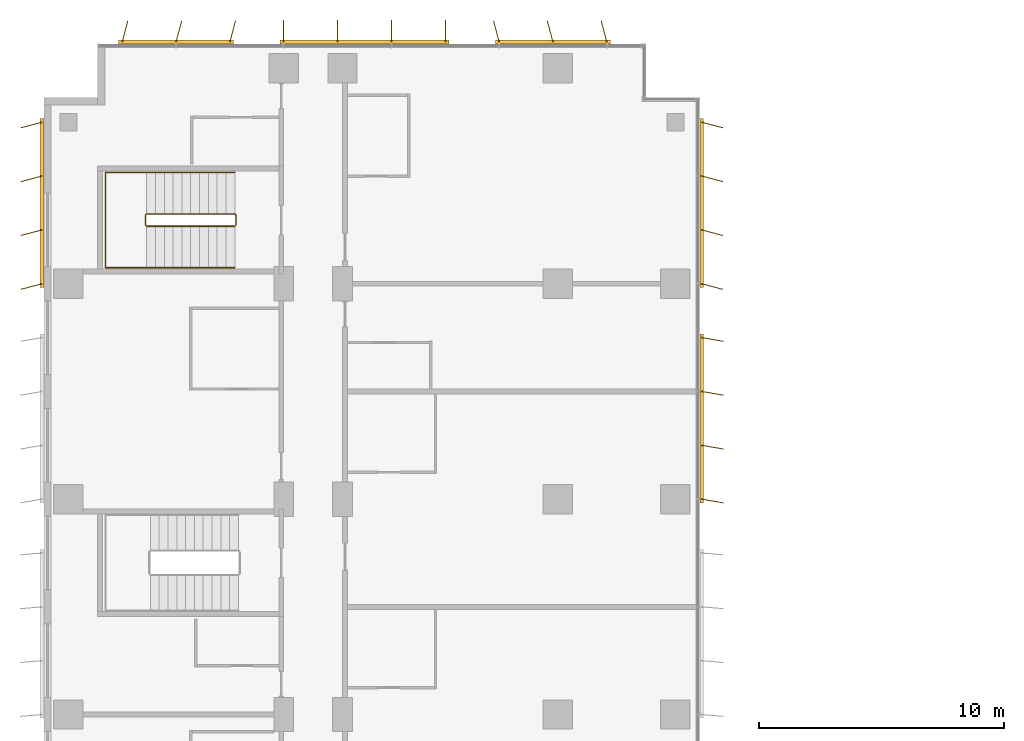
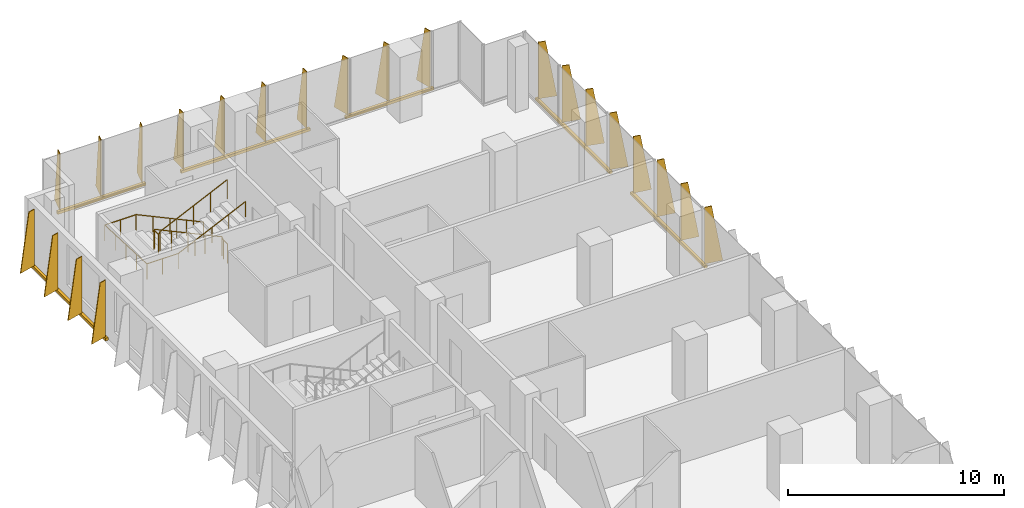
# One storey, part 27 of 27: 6 shading devices, 2 railings.
"""IFC4 building model written with IfcOpenShell, lengths in metres."""

from ifc_helpers import new_model, si_unit, direction, frame, origin, origin_2d, place, context, subcontext, project, spatial, polyline, rectangle, circle, outline, extrude, source, transform, mapped, material, layer, layer_set, type_object, element, save


model = new_model("IFC4")

# Units and contexts
model_context = context("Model", 3, precision=1e-05, world=origin(), true_north=direction((0.0, 1.0)))
body_context = subcontext(model_context, "Body", "Model", "MODEL_VIEW")
ifc_project = project(units=[si_unit("LENGTHUNIT", "METRE"), si_unit("AREAUNIT", "SQUARE_METRE"), si_unit("VOLUMEUNIT", "CUBIC_METRE"), si_unit("PLANEANGLEUNIT", "RADIAN"), si_unit("MASSUNIT", "GRAM", prefix="KILO")], contexts=[model_context])

# Site, building, storey
site_placement = place(None, origin())
site = spatial("IfcSite", under=ifc_project, at=site_placement, CompositionType="ELEMENT")
building_placement = place(site_placement, origin())
building = spatial("IfcBuilding", under=site, at=building_placement, Name="Kemantara Hotel Tower", CompositionType="ELEMENT")
storey_placement = place(building_placement, frame((0.0, 0.0, 83.39990234375)))
storey = spatial("IfcBuildingStorey", under=building, at=storey_placement, Name="L19", CompositionType="ELEMENT", Elevation=83.39990234375)

# Railings
ifc_material_1 = material(Name="Stainless steel balustrade", Category="steel")
railing_type_1 = type_object("IfcRailingType", Name="Stair guard 1100 mm", PredefinedType="GUARDRAIL", material=ifc_material_1)
railing_1_placement = place(storey_placement, frame((7.800048828125, 73.75, 3.7001953125)))
element("IfcRailing", 1, at=railing_1_placement, inside=storey, type_object=railing_type_1, Name="L19 ST6 stair guard 1", PredefinedType="GUARDRAIL", context=body_context, shape_type="SweptSolid", body=[
    extrude(circle(Radius=0.02392578125, at=origin_2d()), frame((0.0, 0.0, 1.076171875), z_axis=(-0.906005689286, 0.0, -0.423265508849), x_axis=(0.0, -1.0, 0.0)), (0.0, 0.0, 1.0), 3.9736328125),
    extrude(circle(Radius=0.02392578125, at=origin_2d()), frame((-3.60009765625, 0.0, -0.60595703125), z_axis=(-0.274243871929, 0.274243871929, -0.92172696468), x_axis=(-0.707106781187, -0.707106781187, 0.0)), (0.0, 0.0, 1.0), 0.1826171875),
    extrude(circle(Radius=0.02392578125, at=origin_2d()), frame((-3.650146484375, 0.050048828125, -0.77392578125), z_axis=(0.0, 1.0, 0.0), x_axis=(-1.0, 0.0, 0.0)), (0.0, 0.0, 1.0), 0.39990234375),
    extrude(circle(Radius=0.02392578125, at=origin_2d()), frame((-3.650146484375, 0.449951171875, -0.77392578125), z_axis=(0.707106781187, 0.707106781187, 0.0), x_axis=(-0.707106781187, 0.707106781187, 0.0)), (0.0, 0.0, 1.0), 0.07080078125),
    extrude(circle(Radius=0.02392578125, at=origin_2d()), frame((-3.60009765625, 0.5, -0.77392578125), z_axis=(0.906005689286, 0.0, -0.423265508849), x_axis=(0.0, 1.0, 0.0)), (0.0, 0.0, 1.0), 3.9736328125),
    extrude(circle(Radius=0.02392578125, at=origin_2d()), frame((0.0, 0.5, -2.4560546875), z_axis=(0.274243871929, -0.274243871929, -0.92172696468), x_axis=(0.707106781187, 0.707106781187, 0.0)), (0.0, 0.0, 1.0), 0.1826171875),
    extrude(circle(Radius=0.02392578125, at=origin_2d()), frame((0.050048828125, 0.449951171875, -2.6240234375), z_axis=(0.0, -1.0, 0.0), x_axis=(1.0, 0.0, 0.0)), (0.0, 0.0, 1.0), 0.39990234375),
    extrude(circle(Radius=0.02099609375, at=origin_2d()), origin(), (0.0, 0.0, 1.0), 1.052001953125),
    extrude(circle(Radius=0.02099609375, at=origin_2d()), frame((-0.89990234375, 0.0, -0.42041015625)), (0.0, 0.0, 1.0), 1.052001953125),
    extrude(circle(Radius=0.02099609375, at=origin_2d()), frame((-1.800048828125, 0.0, -0.8408203125)), (0.0, 0.0, 1.0), 1.052001953125),
    extrude(circle(Radius=0.02099609375, at=origin_2d()), frame((-2.7001953125, 0.0, -1.261474609375)), (0.0, 0.0, 1.0), 1.052001953125),
    extrude(circle(Radius=0.02099609375, at=origin_2d()), frame((-3.60009765625, 0.0, -1.681884765625)), (0.0, 0.0, 1.0), 1.052001953125),
    extrude(circle(Radius=0.02099609375, at=origin_2d()), frame((-3.650146484375, 0.050048828125, -1.85009765625)), (0.0, 0.0, 1.0), 1.052001953125),
    extrude(circle(Radius=0.02099609375, at=origin_2d()), frame((-3.650146484375, 0.449951171875, -1.85009765625)), (0.0, 0.0, 1.0), 1.052001953125),
    extrude(circle(Radius=0.02099609375, at=origin_2d()), frame((-3.60009765625, 0.5, -1.85009765625)), (0.0, 0.0, 1.0), 1.052001953125),
    extrude(circle(Radius=0.02099609375, at=origin_2d()), frame((-2.7001953125, 0.5, -2.2705078125)), (0.0, 0.0, 1.0), 1.052001953125),
    extrude(circle(Radius=0.02099609375, at=origin_2d()), frame((-1.800048828125, 0.5, -2.69091796875)), (0.0, 0.0, 1.0), 1.052001953125),
    extrude(circle(Radius=0.02099609375, at=origin_2d()), frame((-0.89990234375, 0.5, -3.111572265625)), (0.0, 0.0, 1.0), 1.052001953125),
    extrude(circle(Radius=0.02099609375, at=origin_2d()), frame((0.0, 0.5, -3.531982421875)), (0.0, 0.0, 1.0), 1.052001953125),
    extrude(circle(Radius=0.02099609375, at=origin_2d()), frame((0.050048828125, 0.449951171875, -3.7001953125)), (0.0, 0.0, 1.0), 1.052001953125),
    extrude(circle(Radius=0.02099609375, at=origin_2d()), frame((0.050048828125, 0.050048828125, -3.7001953125)), (0.0, 0.0, 1.0), 1.052001953125),
])
railing_type_2 = type_object("IfcRailingType", Name="Stair handrail 900 mm", PredefinedType="HANDRAIL", material=ifc_material_1)
railing_2_placement = place(storey_placement, frame((7.800048828125, 75.949951171875, 0.168212890625)))
element("IfcRailing", 2, at=railing_2_placement, inside=storey, type_object=railing_type_2, Name="L19 ST6 stair handrail 1", PredefinedType="HANDRAIL", context=body_context, shape_type="SweptSolid", body=[
    extrude(circle(Radius=0.02392578125, at=origin_2d()), frame((0.0, 0.0, 0.8759765625), z_axis=(-0.906005689286, 0.0, 0.423265508849), x_axis=(0.0, -1.0, 0.0)), (0.0, 0.0, 1.0), 3.9736328125),
    extrude(circle(Radius=0.02392578125, at=origin_2d()), frame((-3.60009765625, 0.0, 2.5576171875), z_axis=(-1.0, 0.0, 0.0), x_axis=(0.0, -1.0, 0.0)), (0.0, 0.0, 1.0), 1.679931640625),
    extrude(circle(Radius=0.02392578125, at=origin_2d()), frame((-5.280029296875, 0.0, 2.5576171875), z_axis=(0.0, -0.999071085748, 0.043092523981), x_axis=(1.0, 0.0, 0.0)), (0.0, 0.0, 1.0), 3.903564453125),
    extrude(circle(Radius=0.02392578125, at=origin_2d()), frame((-5.280029296875, -3.89990234375, 2.72607421875), z_axis=(1.0, 0.0, 0.0), x_axis=(0.0, 1.0, 0.0)), (0.0, 0.0, 1.0), 1.679931640625),
    extrude(circle(Radius=0.02392578125, at=origin_2d()), frame((-3.60009765625, -3.89990234375, 2.72607421875), z_axis=(0.906005689286, 0.0, 0.423265508849), x_axis=(0.0, 1.0, 0.0)), (0.0, 0.0, 1.0), 3.9736328125),
    extrude(circle(Radius=0.02099609375, at=origin_2d()), origin(), (0.0, 0.0, 1.0), 0.851806640625),
    extrude(circle(Radius=0.02099609375, at=origin_2d()), frame((-0.89990234375, 0.0, 0.42041015625)), (0.0, 0.0, 1.0), 0.851806640625),
    extrude(circle(Radius=0.02099609375, at=origin_2d()), frame((-1.800048828125, 0.0, 0.8408203125)), (0.0, 0.0, 1.0), 0.851806640625),
    extrude(circle(Radius=0.02099609375, at=origin_2d()), frame((-2.7001953125, 0.0, 1.261474609375)), (0.0, 0.0, 1.0), 0.851806640625),
    extrude(circle(Radius=0.02099609375, at=origin_2d()), frame((-3.60009765625, 0.0, 1.681884765625)), (0.0, 0.0, 1.0), 0.851806640625),
    extrude(circle(Radius=0.02099609375, at=origin_2d()), frame((-4.43994140625, 0.0, 1.681884765625)), (0.0, 0.0, 1.0), 0.851806640625),
    extrude(circle(Radius=0.02099609375, at=origin_2d()), frame((-5.280029296875, 0.0, 1.681884765625)), (0.0, 0.0, 1.0), 0.851806640625),
    extrude(circle(Radius=0.02099609375, at=origin_2d()), frame((-5.280029296875, -0.97509765625, 1.723876953125)), (0.0, 0.0, 1.0), 0.851806640625),
    extrude(circle(Radius=0.02099609375, at=origin_2d()), frame((-5.280029296875, -1.949951171875, 1.76611328125)), (0.0, 0.0, 1.0), 0.851806640625),
    extrude(circle(Radius=0.02099609375, at=origin_2d()), frame((-5.280029296875, -2.9248046875, 1.80810546875)), (0.0, 0.0, 1.0), 0.851806640625),
    extrude(circle(Radius=0.02099609375, at=origin_2d()), frame((-5.280029296875, -3.89990234375, 1.85009765625)), (0.0, 0.0, 1.0), 0.851806640625),
    extrude(circle(Radius=0.02099609375, at=origin_2d()), frame((-4.43994140625, -3.89990234375, 1.85009765625)), (0.0, 0.0, 1.0), 0.851806640625),
    extrude(circle(Radius=0.02099609375, at=origin_2d()), frame((-3.60009765625, -3.89990234375, 1.85009765625)), (0.0, 0.0, 1.0), 0.851806640625),
    extrude(circle(Radius=0.02099609375, at=origin_2d()), frame((-2.7001953125, -3.89990234375, 2.2705078125)), (0.0, 0.0, 1.0), 0.851806640625),
    extrude(circle(Radius=0.02099609375, at=origin_2d()), frame((-1.800048828125, -3.89990234375, 2.69091796875)), (0.0, 0.0, 1.0), 0.851806640625),
    extrude(circle(Radius=0.02099609375, at=origin_2d()), frame((-0.89990234375, -3.89990234375, 3.111572265625)), (0.0, 0.0, 1.0), 0.851806640625),
    extrude(circle(Radius=0.02099609375, at=origin_2d()), frame((0.0, -3.89990234375, 3.531982421875)), (0.0, 0.0, 1.0), 0.851806640625),
])

# Shading devices
ifc_material_2 = material(Name="Perforated aluminium plate 4 mm bronze anodised", Category="aluminium")
ifc_layer_1 = layer(ifc_material_2, 0.0400390625)
ifc_layer_set_1 = layer_set([ifc_layer_1], Name="Perforated aluminium plate 4 mm bronze anodised")
shading_device_type_1 = type_object("IfcShadingDeviceType", Name="SCREEN FIN CASSETTE, 3 BLADES AT -15.0 DEG, 3200 HIGH", PredefinedType="USERDEFINED", material=ifc_layer_set_1)
shared_shape_1 = source(origin(), body_context, "Body", "SweptSolid", [
    extrude(rectangle(XDim=4.699951171875, YDim=0.14990234375, at=origin_2d()), frame((2.199951171875, -0.074951171875, -0.14990234375), z_axis=(0.0, 0.0, 1.0), x_axis=(1.0, 0.0, 0.0)), (0.0, 0.0, 1.0), 0.14990234375),
    extrude(outline(polyline([(0.0, 0.0), (0.89990234375, 0.0), (0.35009765625, 3.199951171875), (0.0, 3.199951171875), (0.0, 0.0)])), frame((0.019287109375, -0.080078125, 0.0), z_axis=(-0.966437683387, 0.256901156343, 0.0), x_axis=(-0.256901156343, -0.966437683387, 0.0)), (0.0, 0.0, 1.0), 0.039794921875),
    extrude(outline(polyline([(0.0, 0.0), (0.89990234375, 0.0), (0.35009765625, 3.199951171875), (0.0, 3.199951171875), (0.0, 0.0)])), frame((2.21923828125, -0.080078125, 0.0), z_axis=(-0.966437683387, 0.256901156343, 0.0), x_axis=(-0.256901156343, -0.966437683387, 0.0)), (0.0, 0.0, 1.0), 0.039794921875),
    extrude(outline(polyline([(0.0, 0.0), (0.89990234375, 0.0), (0.35009765625, 3.199951171875), (0.0, 3.199951171875), (0.0, 0.0)])), frame((4.41943359375, -0.080078125, 0.0), z_axis=(-0.966837822169, 0.255391122837, 0.0), x_axis=(-0.255391122837, -0.966837822169, 0.0)), (0.0, 0.0, 1.0), 0.0400390625),
])
shading_device_1_placement = place(storey_placement, frame((7.60009765625, 81.199951171875, 0.10009765625), z_axis=(0.0, 0.0, 1.0), x_axis=(-1.0, 0.0, 0.0)))
element("IfcShadingDevice", 3, at=shading_device_1_placement, inside=storey, type_object=shading_device_type_1, Name="SCREEN FIN CASSETTE L19 T2-R01-3", ObjectType="SCREEN FIN", PredefinedType="USERDEFINED", context=body_context, shape_type="MappedRepresentation", body=[
    mapped(shared_shape_1, transform((0.0, 0.0, 0.0))),
])
ifc_layer_2 = layer(ifc_material_2, 0.0400390625)
ifc_layer_set_2 = layer_set([ifc_layer_2], Name="Perforated aluminium plate 4 mm bronze anodised")
shading_device_type_2 = type_object("IfcShadingDeviceType", Name="SCREEN FIN CASSETTE, 4 BLADES AT -10.0 DEG, 3200 HIGH", PredefinedType="USERDEFINED", material=ifc_layer_set_2)
shared_shape_2 = source(origin(), body_context, "Body", "SweptSolid", [
    extrude(rectangle(XDim=6.89990234375, YDim=0.14990234375, at=origin_2d()), frame((3.300048828125, -0.074951171875, -0.14990234375), z_axis=(0.0, 0.0, 1.0), x_axis=(1.0, 0.0, 0.0)), (0.0, 0.0, 1.0), 0.14990234375),
    extrude(outline(polyline([(0.0, 0.0), (0.89990234375, 0.0), (0.35009765625, 3.199951171875), (0.0, 3.199951171875), (0.0, 0.0)])), frame((0.019775390625, -0.078369140625, 0.0), z_axis=(-0.985389793052, 0.170314285219, 0.0), x_axis=(-0.170314285219, -0.985389793052, 0.0)), (0.0, 0.0, 1.0), 0.0400390625),
    extrude(outline(polyline([(0.0, 0.0), (0.89990234375, 0.0), (0.35009765625, 3.199951171875), (0.0, 3.199951171875), (0.0, 0.0)])), frame((2.2197265625, -0.078369140625, 0.0), z_axis=(-0.98521175482, 0.171341174751, 0.0), x_axis=(-0.171341174751, -0.98521175482, 0.0)), (0.0, 0.0, 1.0), 0.039794921875),
    extrude(outline(polyline([(0.0, 0.0), (0.89990234375, 0.0), (0.35009765625, 3.199951171875), (0.0, 3.199951171875), (0.0, 0.0)])), frame((4.419677734375, -0.078369140625, 0.0), z_axis=(-0.98521175482, 0.171341174751, 0.0), x_axis=(-0.171341174751, -0.98521175482, 0.0)), (0.0, 0.0, 1.0), 0.039794921875),
    extrude(outline(polyline([(0.0, 0.0), (0.89990234375, 0.0), (0.35009765625, 3.199951171875), (0.0, 3.199951171875), (0.0, 0.0)])), frame((6.61962890625, -0.078369140625, 0.0), z_axis=(-0.98521175482, 0.171341174751, 0.0), x_axis=(-0.171341174751, -0.98521175482, 0.0)), (0.0, 0.0, 1.0), 0.039794921875),
])
shading_device_2_placement = place(storey_placement, frame((26.800048828125, 62.60009765625, 0.10009765625), z_axis=(0.0, 0.0, 1.0), x_axis=(0.0, 1.0, 0.0)))
element("IfcShadingDevice", 4, at=shading_device_2_placement, inside=storey, type_object=shading_device_type_2, Name="SCREEN FIN CASSETTE L19 T2-R14-6", ObjectType="SCREEN FIN", PredefinedType="USERDEFINED", context=body_context, shape_type="MappedRepresentation", body=[
    mapped(shared_shape_2, transform((0.0, 0.0, 0.0))),
])
ifc_layer_3 = layer(ifc_material_2, 0.0400390625)
ifc_layer_set_3 = layer_set([ifc_layer_3], Name="Perforated aluminium plate 4 mm bronze anodised")
shading_device_type_3 = type_object("IfcShadingDeviceType", Name="SCREEN FIN CASSETTE, 4 BLADES AT +0.0 DEG, 3200 HIGH", PredefinedType="USERDEFINED", material=ifc_layer_set_3)
shared_shape_3 = source(origin(), body_context, "Body", "SweptSolid", [
    extrude(rectangle(XDim=6.89990234375, YDim=0.14990234375, at=origin_2d()), frame((3.300048828125, -0.074951171875, -0.14990234375), z_axis=(0.0, 0.0, 1.0), x_axis=(1.0, 0.0, 0.0)), (0.0, 0.0, 1.0), 0.14990234375),
    extrude(outline(polyline([(0.0, 0.0), (0.89990234375, 0.0), (0.35009765625, 3.199951171875), (0.0, 3.199951171875), (0.0, 0.0)])), frame((0.02001953125, -0.074951171875, 0.0), z_axis=(-1.0, 0.0, 0.0), x_axis=(0.0, -1.0, 0.0)), (0.0, 0.0, 1.0), 0.0400390625),
    extrude(outline(polyline([(0.0, 0.0), (0.89990234375, 0.0), (0.35009765625, 3.199951171875), (0.0, 3.199951171875), (0.0, 0.0)])), frame((2.219970703125, -0.074951171875, 0.0), z_axis=(-1.0, 0.0, 0.0), x_axis=(0.0, -1.0, 0.0)), (0.0, 0.0, 1.0), 0.0400390625),
    extrude(outline(polyline([(0.0, 0.0), (0.89990234375, 0.0), (0.35009765625, 3.199951171875), (0.0, 3.199951171875), (0.0, 0.0)])), frame((4.419921875, -0.074951171875, 0.0), z_axis=(-1.0, 0.0, 0.0), x_axis=(0.0, -1.0, 0.0)), (0.0, 0.0, 1.0), 0.0400390625),
    extrude(outline(polyline([(0.0, 0.0), (0.89990234375, 0.0), (0.35009765625, 3.199951171875), (0.0, 3.199951171875), (0.0, 0.0)])), frame((6.6201171875, -0.074951171875, 0.0), z_axis=(-1.0, 0.0, 0.0), x_axis=(0.0, -1.0, 0.0)), (0.0, 0.0, 1.0), 0.0400390625),
])
shading_device_3_placement = place(storey_placement, frame((16.39990234375, 81.199951171875, 0.10009765625), z_axis=(0.0, 0.0, 1.0), x_axis=(-1.0, 0.0, 0.0)))
element("IfcShadingDevice", 5, at=shading_device_3_placement, inside=storey, type_object=shading_device_type_3, Name="SCREEN FIN CASSETTE L19 T2-R01-2", ObjectType="SCREEN FIN", PredefinedType="USERDEFINED", context=body_context, shape_type="MappedRepresentation", body=[
    mapped(shared_shape_3, transform((0.0, 0.0, 0.0))),
])
ifc_layer_4 = layer(ifc_material_2, 0.0400390625)
ifc_layer_set_4 = layer_set([ifc_layer_4], Name="Perforated aluminium plate 4 mm bronze anodised")
shading_device_type_4 = type_object("IfcShadingDeviceType", Name="SCREEN FIN CASSETTE, 4 BLADES AT +15.0 DEG, 3200 HIGH", PredefinedType="USERDEFINED", material=ifc_layer_set_4)
shared_shape_4 = source(origin(), body_context, "Body", "SweptSolid", [
    extrude(rectangle(XDim=6.89990234375, YDim=0.14990234375, at=origin_2d()), frame((3.300048828125, -0.074951171875, -0.14990234375), z_axis=(0.0, 0.0, 1.0), x_axis=(1.0, 0.0, 0.0)), (0.0, 0.0, 1.0), 0.14990234375),
    extrude(outline(polyline([(0.0, 0.0), (0.89990234375, 0.0), (0.35009765625, 3.199951171875), (0.0, 3.199951171875), (0.0, 0.0)])), frame((0.019287109375, -0.06982421875, 0.0), z_axis=(-0.966437683387, -0.256901156343, 0.0), x_axis=(0.256901156343, -0.966437683387, 0.0)), (0.0, 0.0, 1.0), 0.039794921875),
    extrude(outline(polyline([(0.0, 0.0), (0.89990234375, 0.0), (0.35009765625, 3.199951171875), (0.0, 3.199951171875), (0.0, 0.0)])), frame((2.21923828125, -0.06982421875, 0.0), z_axis=(-0.966437683387, -0.256901156343, 0.0), x_axis=(0.256901156343, -0.966437683387, 0.0)), (0.0, 0.0, 1.0), 0.039794921875),
    extrude(outline(polyline([(0.0, 0.0), (0.89990234375, 0.0), (0.35009765625, 3.199951171875), (0.0, 3.199951171875), (0.0, 0.0)])), frame((4.41943359375, -0.06982421875, 0.0), z_axis=(-0.966837822169, -0.255391122837, 0.0), x_axis=(0.255391122837, -0.966837822169, 0.0)), (0.0, 0.0, 1.0), 0.0400390625),
    extrude(outline(polyline([(0.0, 0.0), (0.89990234375, 0.0), (0.35009765625, 3.199951171875), (0.0, 3.199951171875), (0.0, 0.0)])), frame((6.619384765625, -0.06982421875, 0.0), z_axis=(-0.966837822169, -0.255391122837, 0.0), x_axis=(0.255391122837, -0.966837822169, 0.0)), (0.0, 0.0, 1.0), 0.0400390625),
])
shading_device_4_placement = place(storey_placement, frame((0.0, 78.0, 0.10009765625), z_axis=(0.0, 0.0, 1.0), x_axis=(0.0, -1.0, 0.0)))
element("IfcShadingDevice", 6, at=shading_device_4_placement, inside=storey, type_object=shading_device_type_4, Name="SCREEN FIN CASSETTE L19 T2-R04-1", ObjectType="SCREEN FIN", PredefinedType="USERDEFINED", context=body_context, shape_type="MappedRepresentation", body=[
    mapped(shared_shape_4, transform((0.0, 0.0, 0.0))),
])
ifc_layer_5 = layer(ifc_material_2, 0.0400390625)
ifc_layer_set_5 = layer_set([ifc_layer_5], Name="Perforated aluminium plate 4 mm bronze anodised")
shading_device_type_5 = type_object("IfcShadingDeviceType", Name="SCREEN FIN CASSETTE, 3 BLADES AT +15.0 DEG, 3200 HIGH", PredefinedType="USERDEFINED", material=ifc_layer_set_5)
shared_shape_5 = source(origin(), body_context, "Body", "SweptSolid", [
    extrude(rectangle(XDim=4.699951171875, YDim=0.14990234375, at=origin_2d()), frame((2.199951171875, -0.074951171875, -0.14990234375), z_axis=(0.0, 0.0, 1.0), x_axis=(1.0, 0.0, 0.0)), (0.0, 0.0, 1.0), 0.14990234375),
    extrude(outline(polyline([(0.0, 0.0), (0.89990234375, 0.0), (0.35009765625, 3.199951171875), (0.0, 3.199951171875), (0.0, 0.0)])), frame((0.019287109375, -0.06982421875, 0.0), z_axis=(-0.966437683387, -0.256901156343, 0.0), x_axis=(0.256901156343, -0.966437683387, 0.0)), (0.0, 0.0, 1.0), 0.039794921875),
    extrude(outline(polyline([(0.0, 0.0), (0.89990234375, 0.0), (0.35009765625, 3.199951171875), (0.0, 3.199951171875), (0.0, 0.0)])), frame((2.21923828125, -0.06982421875, 0.0), z_axis=(-0.966437683387, -0.256901156343, 0.0), x_axis=(0.256901156343, -0.966437683387, 0.0)), (0.0, 0.0, 1.0), 0.039794921875),
    extrude(outline(polyline([(0.0, 0.0), (0.89990234375, 0.0), (0.35009765625, 3.199951171875), (0.0, 3.199951171875), (0.0, 0.0)])), frame((4.41943359375, -0.06982421875, 0.0), z_axis=(-0.966837822169, -0.255391122837, 0.0), x_axis=(0.255391122837, -0.966837822169, 0.0)), (0.0, 0.0, 1.0), 0.0400390625),
])
shading_device_5_placement = place(storey_placement, frame((23.0, 81.199951171875, 0.10009765625), z_axis=(0.0, 0.0, 1.0), x_axis=(-1.0, 0.0, 0.0)))
element("IfcShadingDevice", 7, at=shading_device_5_placement, inside=storey, type_object=shading_device_type_5, Name="SCREEN FIN CASSETTE L19 T2-R01-1", ObjectType="SCREEN FIN", PredefinedType="USERDEFINED", context=body_context, shape_type="MappedRepresentation", body=[
    mapped(shared_shape_5, transform((0.0, 0.0, 0.0))),
])
ifc_layer_6 = layer(ifc_material_2, 0.0400390625)
ifc_layer_set_6 = layer_set([ifc_layer_6], Name="Perforated aluminium plate 4 mm bronze anodised")
shading_device_type_6 = type_object("IfcShadingDeviceType", Name="SCREEN FIN CASSETTE, 4 BLADES AT -15.0 DEG, 3200 HIGH", PredefinedType="USERDEFINED", material=ifc_layer_set_6)
shared_shape_6 = source(origin(), body_context, "Body", "SweptSolid", [
    extrude(rectangle(XDim=6.89990234375, YDim=0.14990234375, at=origin_2d()), frame((3.300048828125, -0.074951171875, -0.14990234375), z_axis=(0.0, 0.0, 1.0), x_axis=(1.0, 0.0, 0.0)), (0.0, 0.0, 1.0), 0.14990234375),
    extrude(outline(polyline([(0.0, 0.0), (0.89990234375, 0.0), (0.35009765625, 3.199951171875), (0.0, 3.199951171875), (0.0, 0.0)])), frame((0.019287109375, -0.080078125, 0.0), z_axis=(-0.966437683387, 0.256901156343, 0.0), x_axis=(-0.256901156343, -0.966437683387, 0.0)), (0.0, 0.0, 1.0), 0.039794921875),
    extrude(outline(polyline([(0.0, 0.0), (0.89990234375, 0.0), (0.35009765625, 3.199951171875), (0.0, 3.199951171875), (0.0, 0.0)])), frame((2.21923828125, -0.080078125, 0.0), z_axis=(-0.966437683387, 0.256901156343, 0.0), x_axis=(-0.256901156343, -0.966437683387, 0.0)), (0.0, 0.0, 1.0), 0.039794921875),
    extrude(outline(polyline([(0.0, 0.0), (0.89990234375, 0.0), (0.35009765625, 3.199951171875), (0.0, 3.199951171875), (0.0, 0.0)])), frame((4.41943359375, -0.080078125, 0.0), z_axis=(-0.966837822169, 0.255391122837, 0.0), x_axis=(-0.255391122837, -0.966837822169, 0.0)), (0.0, 0.0, 1.0), 0.0400390625),
    extrude(outline(polyline([(0.0, 0.0), (0.89990234375, 0.0), (0.35009765625, 3.199951171875), (0.0, 3.199951171875), (0.0, 0.0)])), frame((6.619384765625, -0.080078125, 0.0), z_axis=(-0.966837822169, 0.255391122837, 0.0), x_axis=(-0.255391122837, -0.966837822169, 0.0)), (0.0, 0.0, 1.0), 0.0400390625),
])
shading_device_6_placement = place(storey_placement, frame((26.800048828125, 71.39990234375, 0.10009765625), z_axis=(0.0, 0.0, 1.0), x_axis=(0.0, 1.0, 0.0)))
element("IfcShadingDevice", 8, at=shading_device_6_placement, inside=storey, type_object=shading_device_type_6, Name="SCREEN FIN CASSETTE L19 T2-R14-7", ObjectType="SCREEN FIN", PredefinedType="USERDEFINED", context=body_context, shape_type="MappedRepresentation", body=[
    mapped(shared_shape_6, transform((0.0, 0.0, 0.0))),
])

save(model, "model.ifc")
